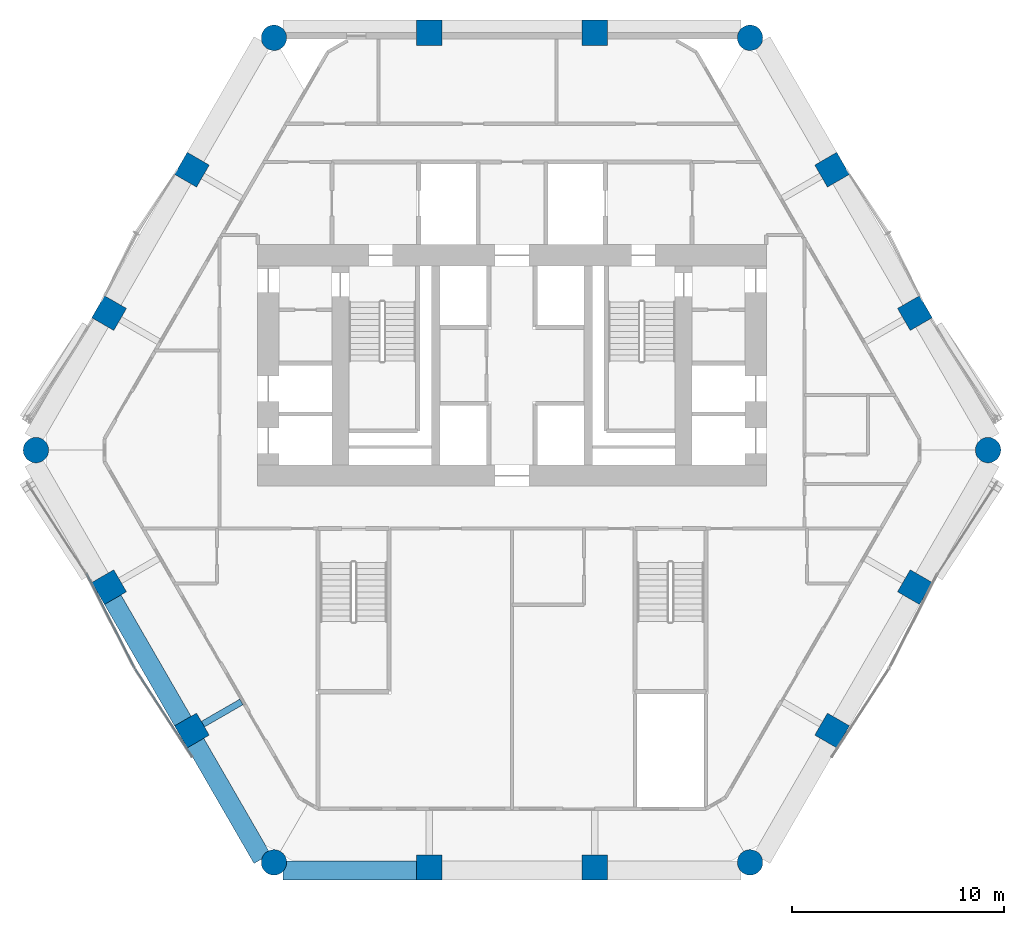
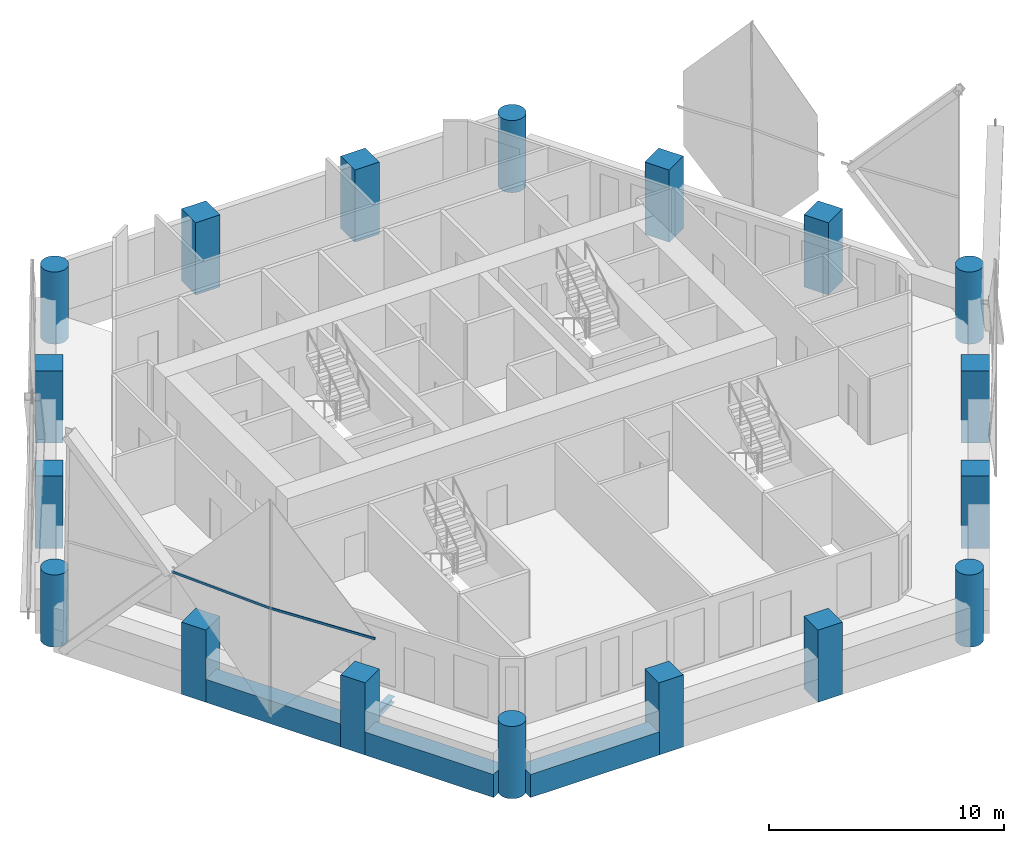
# One storey, part 1 of 16: 18 columns, 4 beams, 2 members, 1 element without a shape of its own.
"""IFC4 building model written with IfcOpenShell, lengths in metres."""

from ifc_helpers import new_model, si_unit, direction, frame, origin, origin_2d, place, context, subcontext, project, spatial, rectangle, hollow_rectangle, circle, i_section, extrude, material, material_profile, profile_set, type_object, element, aggregate, save


model = new_model("IFC4")

# Units and contexts
model_context = context("Model", 3, precision=1e-05, world=origin(), true_north=direction((0.0, 1.0)))
body_context = subcontext(model_context, "Body", "Model", "MODEL_VIEW")
ifc_project = project(units=[si_unit("LENGTHUNIT", "METRE"), si_unit("AREAUNIT", "SQUARE_METRE"), si_unit("VOLUMEUNIT", "CUBIC_METRE"), si_unit("PLANEANGLEUNIT", "RADIAN"), si_unit("MASSUNIT", "GRAM", prefix="KILO")], contexts=[model_context])

# Site, building, storey
site_placement = place(None, origin())
site = spatial("IfcSite", under=ifc_project, at=site_placement, CompositionType="ELEMENT")
building_placement = place(site_placement, origin())
building = spatial("IfcBuilding", under=site, at=building_placement, Name="Ostrander Bayou Hotel Tower", CompositionType="ELEMENT")
storey_placement = place(building_placement, frame((0.0, 0.0, 85.5)))
storey = spatial("IfcBuildingStorey", under=building, at=storey_placement, Name="L21", CompositionType="ELEMENT", Elevation=85.5)

# Columns
ifc_material_1 = material(Name="Concrete f'c 70 MPa", Category="concrete")
ifc_material_profile_1 = material_profile(ifc_material_1, circle(Radius=0.60009765625, at=origin_2d()))
ifc_profile_set_1 = profile_set([ifc_material_profile_1], Name="Concrete f'c 70 MPa")
column_type_1 = type_object("IfcColumnType", Name="C3 round column 1200 mm f'c 70 MPa", PredefinedType="COLUMN", material=ifc_profile_set_1)
for number, where, z_axis, x_axis, name in (
    (1, (-11.234619140625, 19.458740234375, -1.199951171875), (0.0, 0.0, 1.0), (1.0, 0.0, 0.0), "C3 L21 K0"),
    (2, (-22.468994140625, 0.0, -1.199951171875), (0.0, 0.0, 1.0), (1.0, 0.0, 0.0), "C3 L21 K1"),
    (3, (-11.234619140625, -19.458740234375, -1.199951171875), (0.0, 0.0, 1.0), (1.0, 0.0, 0.0), "C3 L21 K2"),
    (4, (11.234619140625, -19.458740234375, -1.199951171875), (0.0, 0.0, 1.0), (1.0, 0.0, 0.0), "C3 L21 K3"),
    (5, (22.468994140625, 0.0, -1.199951171875), (0.0, 0.0, 1.0), (1.0, 0.0, 0.0), "C3 L21 K4"),
    (6, (11.234619140625, 19.458740234375, -1.199951171875), (0.0, 0.0, 1.0), (1.0, 0.0, 0.0), "C3 L21 K5"),
):
    element("IfcColumn", number, at=place(storey_placement, frame(where, z_axis=z_axis, x_axis=x_axis)), inside=storey, type_object=column_type_1, Name=name, PredefinedType="COLUMN", context=body_context, shape_type="SweptSolid", body=[
        extrude(circle(Radius=0.60009765625, at=origin_2d()), origin(), (0.0, 0.0, 1.0), 3.75),
    ])
ifc_material_2 = material(Name="Concrete f'c 70 MPa", Category="concrete")
ifc_material_profile_2 = material_profile(ifc_material_2, rectangle(XDim=1.199951171875, YDim=1.199951171875, at=origin_2d()))
ifc_profile_set_2 = profile_set([ifc_material_profile_2], Name="Concrete f'c 70 MPa")
column_type_2 = type_object("IfcColumnType", Name="C4 square column 1200 x 1200 mm f'c 70 MPa", PredefinedType="COLUMN", material=ifc_profile_set_2)
for number, where, z_axis, x_axis, name in (
    (7, (3.90673828125, 19.699951171875, -1.199951171875), (0.0, 0.0, 1.0), (1.0, 0.0, 0.0), "C4 L21 N1"),
    (8, (-3.90673828125, 19.699951171875, -1.199951171875), (0.0, 0.0, 1.0), (1.0, 0.0, 0.0), "C4 L21 N2"),
    (9, (-15.107421875, 13.2333984375, -1.199951171875), (0.0, 0.0, 1.0), (0.5, 0.866025403784, 0.0), "C4 L21 NW1"),
    (10, (-19.01416015625, 6.466796875, -1.199951171875), (0.0, 0.0, 1.0), (0.5, 0.866025403784, 0.0), "C4 L21 NW2"),
    (11, (-19.01416015625, -6.466796875, -1.199951171875), (0.0, 0.0, 1.0), (-0.5, 0.866025403784, 0.0), "C4 L21 SW1"),
    (12, (-15.107421875, -13.2333984375, -1.199951171875), (0.0, 0.0, 1.0), (-0.5, 0.866025403784, 0.0), "C4 L21 SW2"),
    (13, (-3.90673828125, -19.699951171875, -1.199951171875), (0.0, 0.0, 1.0), (-1.0, 0.0, 0.0), "C4 L21 S1"),
    (14, (3.90673828125, -19.699951171875, -1.199951171875), (0.0, 0.0, 1.0), (-1.0, 0.0, 0.0), "C4 L21 S2"),
    (15, (15.107421875, -13.2333984375, -1.199951171875), (0.0, 0.0, 1.0), (-0.5, -0.866025403784, 0.0), "C4 L21 SE1"),
    (16, (19.01416015625, -6.466796875, -1.199951171875), (0.0, 0.0, 1.0), (-0.5, -0.866025403784, 0.0), "C4 L21 SE2"),
    (17, (19.01416015625, 6.466796875, -1.199951171875), (0.0, 0.0, 1.0), (0.5, -0.866025403784, 0.0), "C4 L21 NE1"),
    (18, (15.107421875, 13.2333984375, -1.199951171875), (0.0, 0.0, 1.0), (0.5, -0.866025403784, 0.0), "C4 L21 NE2"),
):
    element("IfcColumn", number, at=place(storey_placement, frame(where, z_axis=z_axis, x_axis=x_axis)), inside=storey, type_object=column_type_2, Name=name, PredefinedType="COLUMN", context=body_context, shape_type="SweptSolid", body=[
        extrude(rectangle(XDim=1.199951171875, YDim=1.199951171875, at=origin_2d()), origin(), (0.0, 0.0, 1.0), 3.75),
    ])

# Curtain wall, members
ifc_material_3 = material(Name="Aluminium and clear glass", Category="aluminium")
curtain_wall_type = type_object("IfcCurtainWallType", Name="CW-LAT lattice glazing", PredefinedType="NOTDEFINED", material=ifc_material_3)
curtain_wall_placement = place(storey_placement, origin())
curtain_wall = element("IfcCurtainWall", 19, at=curtain_wall_placement, inside=storey, type_object=curtain_wall_type, Name="CW-LAT L21 SW 2", PredefinedType="NOTDEFINED")
ifc_material_4 = material(Name="Aluminium", Category="aluminium")
ifc_material_profile_3 = material_profile(ifc_material_4, hollow_rectangle(XDim=0.06005859375, YDim=0.1201171875, WallThickness=0.00390625, at=origin_2d()))
ifc_profile_set_3 = profile_set([ifc_material_profile_3], Name="Aluminium")
member_type = type_object("IfcMemberType", Name="CW-LA transom 60 x 120 mm", PredefinedType="USERDEFINED", material=ifc_profile_set_3)
member_1_placement = place(storey_placement, frame((-17.814208984375, -10.284912109375, 5.02490234375), z_axis=(-0.45352798469, 0.891242036207, 0.0), x_axis=(-0.891242036207, -0.45352798469, 0.0)))
member_1 = element("IfcMember", 20, at=member_1_placement, type_object=member_type, Name="CW-LAT transom 6", ObjectType="TRANSOM", PredefinedType="USERDEFINED", context=body_context, shape_type="SweptSolid", body=[
    extrude(hollow_rectangle(XDim=0.06005859375, YDim=0.1201171875, WallThickness=0.00390625, at=origin_2d()), origin(), (0.0, 0.0, 1.0), 5.001953125),
])
member_2_placement = place(storey_placement, frame((-17.814208984375, -10.284912109375, 5.02490234375), z_axis=(0.545032954185, -0.838414622279, 0.0), x_axis=(0.838414622279, 0.545032954185, 0.0)))
member_2 = element("IfcMember", 21, at=member_2_placement, type_object=member_type, Name="CW-LAT transom 7", ObjectType="TRANSOM", PredefinedType="USERDEFINED", context=body_context, shape_type="SweptSolid", body=[
    extrude(hollow_rectangle(XDim=0.06005859375, YDim=0.1201171875, WallThickness=0.00390625, at=origin_2d()), origin(), (0.0, 0.0, 1.0), 5.002197265625),
])
aggregate(curtain_wall, [member_1, member_2])

# Beams
ifc_material_5 = material(Name="Steel ASTM A992", Category="steel")
ifc_material_profile_4 = material_profile(ifc_material_5, i_section(OverallWidth=0.3046875, OverallDepth=0.307861328125, WebThickness=0.010009765625, FlangeThickness=0.015380859375, at=origin_2d()))
ifc_profile_set_4 = profile_set([ifc_material_profile_4], Name="Steel ASTM A992")
beam_type_1 = type_object("IfcBeamType", Name="LB1 loggia bracket W12x65", PredefinedType="BEAM", material=ifc_profile_set_4)
beam_1_placement = place(storey_placement, frame((-14.587646484375, -12.933349609375, -0.453857421875), z_axis=(0.866009402589, 0.500027713859, 0.0), x_axis=(-0.500027713859, 0.866009402589, 0.0)))
element("IfcBeam", 22, at=beam_1_placement, inside=storey, type_object=beam_type_1, Name="LB1 L21 SW2", PredefinedType="BEAM", context=body_context, shape_type="SweptSolid", body=[
    extrude(i_section(OverallWidth=0.3046875, OverallDepth=0.307861328125, WebThickness=0.010009765625, FlangeThickness=0.015380859375, at=origin_2d()), origin(), (0.0, 0.0, 1.0), 2.10009765625),
])
ifc_material_6 = material(Name="Concrete f'c 70 MPa", Category="concrete")
ifc_material_profile_5 = material_profile(ifc_material_6, rectangle(XDim=0.89990234375, YDim=1.199951171875, at=origin_2d()))
ifc_profile_set_5 = profile_set([ifc_material_profile_5], Name="Concrete f'c 70 MPa")
beam_type_2 = type_object("IfcBeamType", Name="SP2 spandrel beam 900 x 1200 mm f'c 70 MPa", PredefinedType="SPANDREL", material=ifc_profile_set_5)
beam_2_placement = place(storey_placement, frame((-18.85888671875, -7.035400390625, -0.60009765625), z_axis=(0.499999023957, -0.866025967302, 0.0), x_axis=(0.866025967302, 0.499999023957, 0.0)))
element("IfcBeam", 23, at=beam_2_placement, inside=storey, type_object=beam_type_2, Name="SP2 L21 SW-2", PredefinedType="SPANDREL", context=body_context, shape_type="SweptSolid", body=[
    extrude(rectangle(XDim=0.89990234375, YDim=1.199951171875, at=origin_2d()), origin(), (0.0, 0.0, 1.0), 6.67333984375),
])
for number, where, z_axis, x_axis, name in (
    (24, (-14.9521484375, -13.802001953125, -0.60009765625), (0.499982754166, -0.866035360443, 0.0), (0.866035360443, 0.499982754166, 0.0), "SP2 L21 SW-3"),
    (25, (-10.8095703125, -19.85009765625, -0.60009765625), (1.0, 0.0, 0.0), (0.0, 1.0, 0.0), "SP2 L21 S-1"),
):
    element("IfcBeam", number, at=place(storey_placement, frame(where, z_axis=z_axis, x_axis=x_axis)), inside=storey, type_object=beam_type_2, Name=name, PredefinedType="SPANDREL", context=body_context, shape_type="SweptSolid", body=[
        extrude(rectangle(XDim=0.89990234375, YDim=1.199951171875, at=origin_2d()), origin(), (0.0, 0.0, 1.0), 6.332763671875),
    ])

save(model, "model.ifc")
